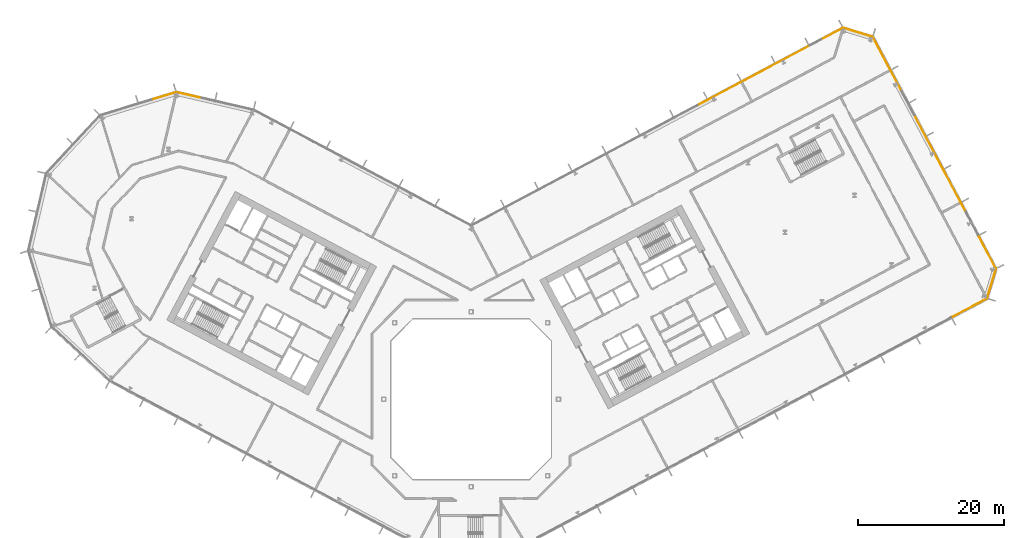
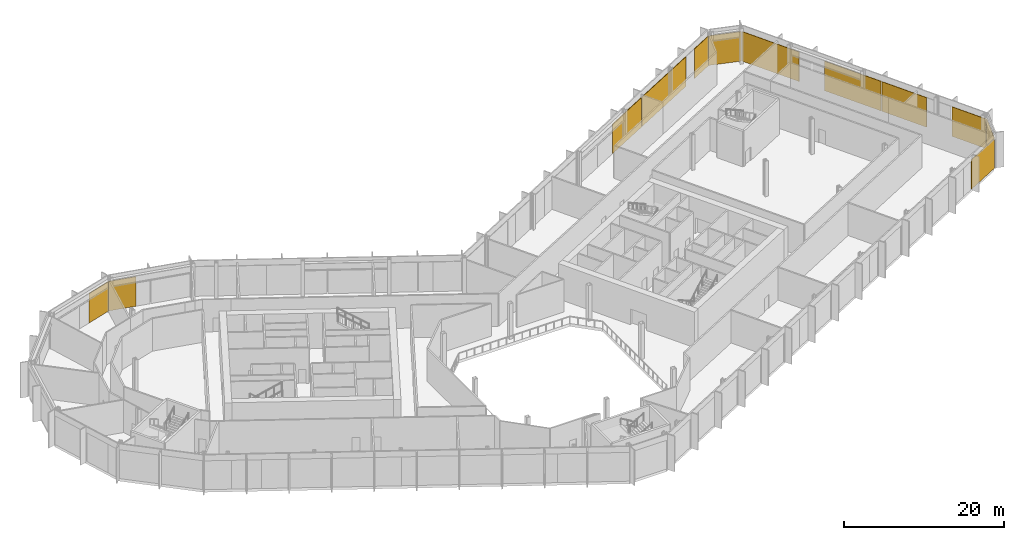
# One storey, part 31 of 31: 12 coverings, 7 elements without a shape of their own.
"""IFC4 building model written with IfcOpenShell, lengths in metres."""

import ifcopenshell
import ifcopenshell.guid

model = None  # the IFC model being written
_history = None  # IfcOwnerHistory: only IFC2X3 demands one
_inside = {}  # id of a spatial element -> (the spatial element, [elements in it])
_under = {}  # id of a project, library or spatial element -> (it, [spatial elements below it])
_declared = {}  # id of a project -> (the project, [libraries it declares])
_typed = {}  # id of a type object -> (the type object, [elements of that type])
_made_of = {}  # id of a material, layer set ... -> (it, [elements and type objects made of it])


def new_model(schema):
    """Start an empty IFC model of exactly this schema.

    Asked for "IFC4X3", IfcOpenShell would pick the latest addendum, in which some entities
    have other attributes; the version numbers below select the first issue.
    IFC2X3 requires an IfcOwnerHistory on every rooted entity: one is made here for all.
    """
    global model, _history
    if schema == "IFC4X3":
        model = ifcopenshell.file(schema_version=(4, 3, 0, 0))
    else:
        model = ifcopenshell.file(schema=schema)
    _inside.clear()
    _under.clear()
    _declared.clear()
    _typed.clear()
    _made_of.clear()
    _history = None
    if model.schema == "IFC2X3":
        org = make("IfcOrganization", Name="unknown")
        user = make(
            "IfcPersonAndOrganization",
            ThePerson=make("IfcPerson", FamilyName="unknown"),
            TheOrganization=org,
        )
        app = make(
            "IfcApplication",
            ApplicationDeveloper=org,
            Version="unknown",
            ApplicationFullName="unknown",
            ApplicationIdentifier="unknown",
        )
        _history = make(
            "IfcOwnerHistory",
            OwningUser=user,
            OwningApplication=app,
            ChangeAction="ADDED",
            CreationDate=0,
        )
    return model


def make(cls, **values):
    """One entity of the class cls with the attributes given. An attribute that is None is left unset."""
    return model.create_entity(
        cls, **{name: value for name, value in values.items() if value is not None}
    )


def rooted(cls, **values):
    """An entity with a GlobalId (a new one), such as an element, a storey or a relation."""
    return make(cls, GlobalId=ifcopenshell.guid.new(), OwnerHistory=_history, **values)


def si_unit(unit_type, name, prefix=None):
    """IfcSIUnit, for example si_unit("LENGTHUNIT", "METRE", prefix="MILLI")."""
    return make("IfcSIUnit", UnitType=unit_type, Prefix=prefix, Name=name)


def assignment(units):
    """IfcUnitAssignment: the units of a project."""
    return None if units is None else make("IfcUnitAssignment", Units=units)


def point(xyz):
    """IfcCartesianPoint."""
    return None if xyz is None else make("IfcCartesianPoint", Coordinates=xyz)


def direction(xyz):
    """IfcDirection."""
    return None if xyz is None else make("IfcDirection", DirectionRatios=xyz)


def frame(location, z_axis=None, x_axis=None):
    """IfcAxis2Placement3D, a coordinate frame: its origin and axes. An axis left out is left unset."""
    return make(
        "IfcAxis2Placement3D",
        Location=point(location),
        Axis=direction(z_axis),
        RefDirection=direction(x_axis),
    )


def frame_2d(location, x_axis=None):
    """IfcAxis2Placement2D, a coordinate frame in the plane: its origin and x axis."""
    return make(
        "IfcAxis2Placement2D", Location=point(location), RefDirection=direction(x_axis)
    )


def origin():
    """The frame at (0, 0, 0) with its axes left unset."""
    return frame((0.0, 0.0, 0.0))


def origin_2d():
    """The frame at (0, 0) in the plane with its x axis left unset."""
    return frame_2d((0.0, 0.0))


def place(relative_to, where):
    """IfcLocalPlacement: puts the frame where relative to a parent placement (None: the world)."""
    return make(
        "IfcLocalPlacement", PlacementRelTo=relative_to, RelativePlacement=where
    )


def context(
    kind, dimensions, precision=None, world=None, true_north=None, identifier=None
):
    """IfcGeometricRepresentationContext, for example the 3D "Model" context."""
    return make(
        "IfcGeometricRepresentationContext",
        ContextIdentifier=identifier,
        ContextType=kind,
        CoordinateSpaceDimension=dimensions,
        Precision=precision,
        WorldCoordinateSystem=world,
        TrueNorth=true_north,
    )


def subcontext(parent, identifier, kind, view, scale=None):
    """IfcGeometricRepresentationSubContext, for example "Body" below "Model"."""
    return make(
        "IfcGeometricRepresentationSubContext",
        ContextIdentifier=identifier,
        ContextType=kind,
        ParentContext=parent,
        TargetScale=scale,
        TargetView=view,
    )


def project(units=None, contexts=None):
    """IfcProject with its units and contexts."""
    return rooted(
        "IfcProject",
        Name="project",
        RepresentationContexts=contexts,
        UnitsInContext=assignment(units),
    )


def spatial(cls, under=None, at=None, **own):
    """A site, building, storey or space (cls), placed at a placement, below another one or the project."""
    s = rooted(cls, ObjectPlacement=at, **own)
    if under is not None:
        _under.setdefault(under.id(), (under, []))[1].append(s)
    return s


def profile(cls, at=None, kind="AREA", **sizes):
    """A parametric profile (cls). Its sizes go by their IFC names, for example OverallWidth=200.0."""
    return make(cls, ProfileType=kind, Position=at, **sizes)


def rectangle(**sizes):
    """IfcRectangleProfileDef."""
    return profile("IfcRectangleProfileDef", **sizes)


def extrude(swept, where, along, depth):
    """IfcExtrudedAreaSolid: the profile swept, set in the frame where, extruded along a direction by depth."""
    return make(
        "IfcExtrudedAreaSolid",
        SweptArea=swept,
        Position=where,
        ExtrudedDirection=direction(along),
        Depth=depth,
    )


def shape(context_of_items, identifier, shape_type, items):
    """IfcShapeRepresentation: the items that make up one representation, for example the "Body"."""
    return make(
        "IfcShapeRepresentation",
        ContextOfItems=context_of_items,
        RepresentationIdentifier=identifier,
        RepresentationType=shape_type,
        Items=items,
    )


def material(Name=None, Category=None):
    """IfcMaterial."""
    return make("IfcMaterial", Name=Name, Category=Category)


def layer(
    of_material, thickness, ventilated=None, Name=None, Category=None, Priority=None
):
    """IfcMaterialLayer: one layer of a wall or slab, of a material (None: an air gap)."""
    return make(
        "IfcMaterialLayer",
        Material=of_material,
        LayerThickness=thickness,
        IsVentilated=ventilated,
        Name=Name,
        Category=Category,
        Priority=Priority,
    )


def layer_set(layers, Name=None):
    """IfcMaterialLayerSet."""
    return make("IfcMaterialLayerSet", MaterialLayers=layers, LayerSetName=Name)


def made_of(thing, what):
    """Note that an element or type object is made of a material, layer set ...; save() writes the relation."""
    if what is not None:
        _made_of.setdefault(what.id(), (what, []))[1].append(thing)
    return thing


def type_object(cls, material=None, **own):
    """A type object (cls), such as IfcWallType, which elements share."""
    return made_of(rooted(cls, **own), material)


def element(
    cls,
    number,
    at=None,
    inside=None,
    cuts=None,
    type_object=None,
    material=None,
    context=None,
    identifier="Body",
    shape_type=None,
    held_by="IfcProductDefinitionShape",
    body=None,
    shapes=None,
    **own,
):
    """One element of the class cls, such as IfcWall. Its Tag is "e" and its number.

    at: its placement. inside: the storey or other place that contains it. cuts: it is an
    opening in that element (IfcRelVoidsElement). A single representation is given by context,
    identifier, shape_type and body (its items); several are given by shapes. held_by: the class
    of the entity that holds the representations. save() writes the other relations.
    """
    e = rooted(cls, Tag="e%d" % number, ObjectPlacement=at, **own)
    if body is not None:
        shapes = [shape(context, identifier, shape_type, body)]
    if shapes is not None:
        e.Representation = make(held_by, Representations=shapes)
    if inside is not None:
        _inside.setdefault(inside.id(), (inside, []))[1].append(e)
    if cuts is not None:
        rooted(
            "IfcRelVoidsElement", RelatingBuildingElement=cuts, RelatedOpeningElement=e
        )
    if type_object is not None:
        _typed.setdefault(type_object.id(), (type_object, []))[1].append(e)
    return made_of(e, material)


def aggregate(whole, parts):
    """IfcRelAggregates: a whole, such as a stair, and the parts it consists of."""
    return rooted("IfcRelAggregates", RelatingObject=whole, RelatedObjects=parts)


def save(model, path):
    """Write the relations noted so far, then the file.

    IfcRelAggregates (storeys below a building ...), IfcRelContainedInSpatialStructure (elements
    in a storey), IfcRelDefinesByType, IfcRelAssociatesMaterial and IfcRelDeclares: one each for
    every whole, place, type object, material and project.
    """
    for whole, parts in _under.values():
        aggregate(whole, parts)
    for where, things in _inside.values():
        rooted(
            "IfcRelContainedInSpatialStructure",
            RelatedElements=things,
            RelatingStructure=where,
        )
    for kind, things in _typed.values():
        rooted("IfcRelDefinesByType", RelatedObjects=things, RelatingType=kind)
    for what, things in _made_of.values():
        rooted("IfcRelAssociatesMaterial", RelatedObjects=things, RelatingMaterial=what)
    for by, libraries in _declared.values():
        rooted("IfcRelDeclares", RelatingContext=by, RelatedDefinitions=libraries)
    model.write(path)


model = new_model("IFC4")

# Units and contexts
model_context = context("Model", 3, precision=1e-05, world=origin(), true_north=direction((0.0, 1.0)))
body_context = subcontext(model_context, "Body", "Model", "MODEL_VIEW")
ifc_project = project(units=[si_unit("LENGTHUNIT", "METRE"), si_unit("AREAUNIT", "SQUARE_METRE"), si_unit("VOLUMEUNIT", "CUBIC_METRE"), si_unit("PLANEANGLEUNIT", "RADIAN"), si_unit("MASSUNIT", "GRAM", prefix="KILO")], contexts=[model_context])

# Site, building, storey
site_placement = place(None, origin())
site = spatial("IfcSite", under=ifc_project, at=site_placement, CompositionType="ELEMENT")
building_placement = place(site_placement, origin())
building = spatial("IfcBuilding", under=site, at=building_placement, Name="Cormorant Relay Tower", CompositionType="ELEMENT")
storey_placement = place(building_placement, frame((0.0, 0.0, 12.199951171875)))
storey = spatial("IfcBuildingStorey", under=building, at=storey_placement, Name="L02", CompositionType="ELEMENT", Elevation=12.199951171875)

# Curtain wall, covering
ifc_material_1 = material(Name="Aluminium 6063-T6 anodised bronze", Category="aluminium")
ifc_layer_1 = layer(ifc_material_1, 0.235107421875)
ifc_layer_set_1 = layer_set([ifc_layer_1], Name="CW6 data hall curtain wall with mineral wool panels")
curtain_wall_type = type_object("IfcCurtainWallType", Name="CW6 data hall curtain wall with mineral wool panels", PredefinedType="NOTDEFINED", material=ifc_layer_set_1)
curtain_wall_1_placement = place(storey_placement, origin())
curtain_wall_1 = element("IfcCurtainWall", 1, at=curtain_wall_1_placement, inside=storey, type_object=curtain_wall_type, Name="CW6 curtain wall 2", PredefinedType="NOTDEFINED")
ifc_material_2 = material(Name="Mineral wool cored anodised bronze aluminium cassette panel", Category="aluminium")
ifc_layer_2 = layer(ifc_material_2, 0.074951171875)
ifc_layer_set_2 = layer_set([ifc_layer_2], Name="CW6 mineral wool cassette panel 75")
covering_type = type_object("IfcCoveringType", Name="CW6 mineral wool cassette panel 75", PredefinedType="CLADDING", material=ifc_layer_set_2)
covering_1_placement = place(storey_placement, frame((68.399658203125, 12.542236328125, 0.0), z_axis=(0.0, 0.0, 1.0), x_axis=(0.882947592859, 0.469471562786, 0.0)))
covering_1 = element("IfcCovering", 2, at=covering_1_placement, type_object=covering_type, Name="CW6 panel S13", PredefinedType="CLADDING", context=body_context, shape_type="SweptSolid", body=[
    extrude(rectangle(XDim=5.436767578125, YDim=0.074951171875, at=origin_2d()), origin(), (0.0, 0.0, 1.0), 4.5),
])
aggregate(curtain_wall_1, [covering_1])

curtain_wall_2_placement = place(storey_placement, origin())
curtain_wall_2 = element("IfcCurtainWall", 3, at=curtain_wall_2_placement, inside=storey, type_object=curtain_wall_type, Name="CW6 curtain wall 3", PredefinedType="NOTDEFINED")
covering_2_placement = place(storey_placement, frame((71.44921875, 15.9052734375, 0.0), z_axis=(0.0, 0.0, 1.0), x_axis=(0.292371704723, 0.956304755963, 0.0)))
covering_2 = element("IfcCovering", 4, at=covering_2_placement, type_object=covering_type, Name="CW6 panel S00", PredefinedType="CLADDING", context=body_context, shape_type="SweptSolid", body=[
    extrude(rectangle(XDim=4.16748046875, YDim=0.074951171875, at=origin_2d()), origin(), (0.0, 0.0, 1.0), 4.5),
])
aggregate(curtain_wall_2, [covering_2])

# Curtain wall, coverings
curtain_wall_3_placement = place(storey_placement, origin())
curtain_wall_3 = element("IfcCurtainWall", 5, at=curtain_wall_3_placement, inside=storey, type_object=curtain_wall_type, Name="CW6 curtain wall 4", PredefinedType="NOTDEFINED")
covering_3_placement = place(storey_placement, frame((70.8486328125, 20.197021484375, 0.0), z_axis=(0.0, 0.0, 1.0), x_axis=(-0.469471562786, 0.882947592859, 0.0)))
covering_3 = element("IfcCovering", 6, at=covering_3_placement, type_object=covering_type, Name="CW6 panel S00", PredefinedType="CLADDING", context=body_context, shape_type="SweptSolid", body=[
    extrude(rectangle(XDim=4.992919921875, YDim=0.074951171875, at=origin_2d()), origin(), (0.0, 0.0, 1.0), 4.5),
])
covering_4_placement = place(storey_placement, frame((66.3818359375, 28.59765625, 0.0), z_axis=(0.0, 0.0, 1.0), x_axis=(-0.469471562786, 0.882947592859, 0.0)))
covering_4 = element("IfcCovering", 7, at=covering_4_placement, type_object=covering_type, Name="CW6 panel S02", PredefinedType="CLADDING", context=body_context, shape_type="SweptSolid", body=[
    extrude(rectangle(XDim=6.53564453125, YDim=0.074951171875, at=origin_2d()), origin(), (0.0, 0.0, 1.0), 4.5),
])
covering_5_placement = place(storey_placement, frame((62.820556640625, 35.29541015625, 0.0), z_axis=(0.0, 0.0, 1.0), x_axis=(-0.469471562786, 0.882947592859, 0.0)))
covering_5 = element("IfcCovering", 8, at=covering_5_placement, type_object=covering_type, Name="CW6 panel S03", PredefinedType="CLADDING", context=body_context, shape_type="SweptSolid", body=[
    extrude(rectangle(XDim=8.335693359375, YDim=0.074951171875, at=origin_2d()), origin(), (0.0, 0.0, 1.0), 4.5),
])
covering_6_placement = place(storey_placement, frame((57.129150390625, 45.99951171875, 0.0), z_axis=(0.0, 0.0, 1.0), x_axis=(-0.469471562786, 0.882947592859, 0.0)))
covering_6 = element("IfcCovering", 9, at=covering_6_placement, type_object=covering_type, Name="CW6 panel S06", PredefinedType="CLADDING", context=body_context, shape_type="SweptSolid", body=[
    extrude(rectangle(XDim=8.41064453125, YDim=0.074951171875, at=origin_2d()), origin(), (0.0, 0.0, 1.0), 4.5),
])
aggregate(curtain_wall_3, [covering_3, covering_4, covering_5, covering_6])

# Curtain wall, covering
curtain_wall_4_placement = place(storey_placement, origin())
curtain_wall_4 = element("IfcCurtainWall", 10, at=curtain_wall_4_placement, inside=storey, type_object=curtain_wall_type, Name="CW6 curtain wall 5", PredefinedType="NOTDEFINED")
covering_7_placement = place(storey_placement, frame((53.068115234375, 50.362060546875, 0.0), z_axis=(0.0, 0.0, 1.0), x_axis=(-0.956304755963, 0.292371704723, 0.0)))
covering_7 = element("IfcCovering", 11, at=covering_7_placement, type_object=covering_type, Name="CW6 panel S00", PredefinedType="CLADDING", context=body_context, shape_type="SweptSolid", body=[
    extrude(rectangle(XDim=4.16748046875, YDim=0.074951171875, at=origin_2d()), origin(), (0.0, 0.0, 1.0), 4.5),
])
aggregate(curtain_wall_4, [covering_7])

# Curtain wall, coverings
curtain_wall_5_placement = place(storey_placement, origin())
curtain_wall_5 = element("IfcCurtainWall", 12, at=curtain_wall_5_placement, inside=storey, type_object=curtain_wall_type, Name="CW6 curtain wall 6", PredefinedType="NOTDEFINED")
covering_8_placement = place(storey_placement, frame((49.5205078125, 50.156982421875, 0.0), z_axis=(0.0, 0.0, 1.0), x_axis=(-0.882947592859, -0.469471562786, 0.0)))
covering_8 = element("IfcCovering", 13, at=covering_8_placement, type_object=covering_type, Name="CW6 panel S00", PredefinedType="CLADDING", context=body_context, shape_type="SweptSolid", body=[
    extrude(rectangle(XDim=3.3076171875, YDim=0.074951171875, at=origin_2d()), origin(), (0.0, 0.0, 1.0), 4.5),
])
covering_9_placement = place(storey_placement, frame((41.762451171875, 46.031982421875, 0.0), z_axis=(0.0, 0.0, 1.0), x_axis=(-0.882947592859, -0.469471562786, 0.0)))
covering_9 = element("IfcCovering", 14, at=covering_9_placement, type_object=covering_type, Name="CW6 panel S02", PredefinedType="CLADDING", context=body_context, shape_type="SweptSolid", body=[
    extrude(rectangle(XDim=10.365234375, YDim=0.074951171875, at=origin_2d()), origin(), (0.0, 0.0, 1.0), 4.5),
])
covering_10_placement = place(storey_placement, frame((34.0673828125, 41.940185546875, 0.0), z_axis=(0.0, 0.0, 1.0), x_axis=(-0.882947592859, -0.469471562786, 0.0)))
covering_10 = element("IfcCovering", 15, at=covering_10_placement, type_object=covering_type, Name="CW6 panel S03", PredefinedType="CLADDING", context=body_context, shape_type="SweptSolid", body=[
    extrude(rectangle(XDim=6.765380859375, YDim=0.074951171875, at=origin_2d()), origin(), (0.0, 0.0, 1.0), 4.5),
])
aggregate(curtain_wall_5, [covering_8, covering_9, covering_10])

# Curtain wall, covering
curtain_wall_6_placement = place(storey_placement, origin())
curtain_wall_6 = element("IfcCurtainWall", 16, at=curtain_wall_6_placement, inside=storey, type_object=curtain_wall_type, Name="CW6 curtain wall 8", PredefinedType="NOTDEFINED")
covering_11_placement = place(storey_placement, frame((-38.72265625, 41.74951171875, 0.0), z_axis=(0.0, 0.0, 1.0), x_axis=(-0.974370064785, 0.224951054344, 0.0)))
covering_11 = element("IfcCovering", 17, at=covering_11_placement, type_object=covering_type, Name="CW6 panel S02", PredefinedType="CLADDING", context=body_context, shape_type="SweptSolid", body=[
    extrude(rectangle(XDim=3.560302734375, YDim=0.074951171875, at=origin_2d()), origin(), (0.0, 0.0, 1.0), 4.5),
])
aggregate(curtain_wall_6, [covering_11])

curtain_wall_7_placement = place(storey_placement, origin())
curtain_wall_7 = element("IfcCurtainWall", 18, at=curtain_wall_7_placement, inside=storey, type_object=curtain_wall_type, Name="CW6 curtain wall 9", PredefinedType="NOTDEFINED")
covering_12_placement = place(storey_placement, frame((-42.214599609375, 41.617919921875, 0.0), z_axis=(0.0, 0.0, 1.0), x_axis=(-0.956304755963, -0.292371704723, 0.0)))
covering_12 = element("IfcCovering", 19, at=covering_12_placement, type_object=covering_type, Name="CW6 panel S00", PredefinedType="CLADDING", context=body_context, shape_type="SweptSolid", body=[
    extrude(rectangle(XDim=3.485107421875, YDim=0.074951171875, at=origin_2d()), origin(), (0.0, 0.0, 1.0), 4.5),
])
aggregate(curtain_wall_7, [covering_12])

save(model, "model.ifc")
